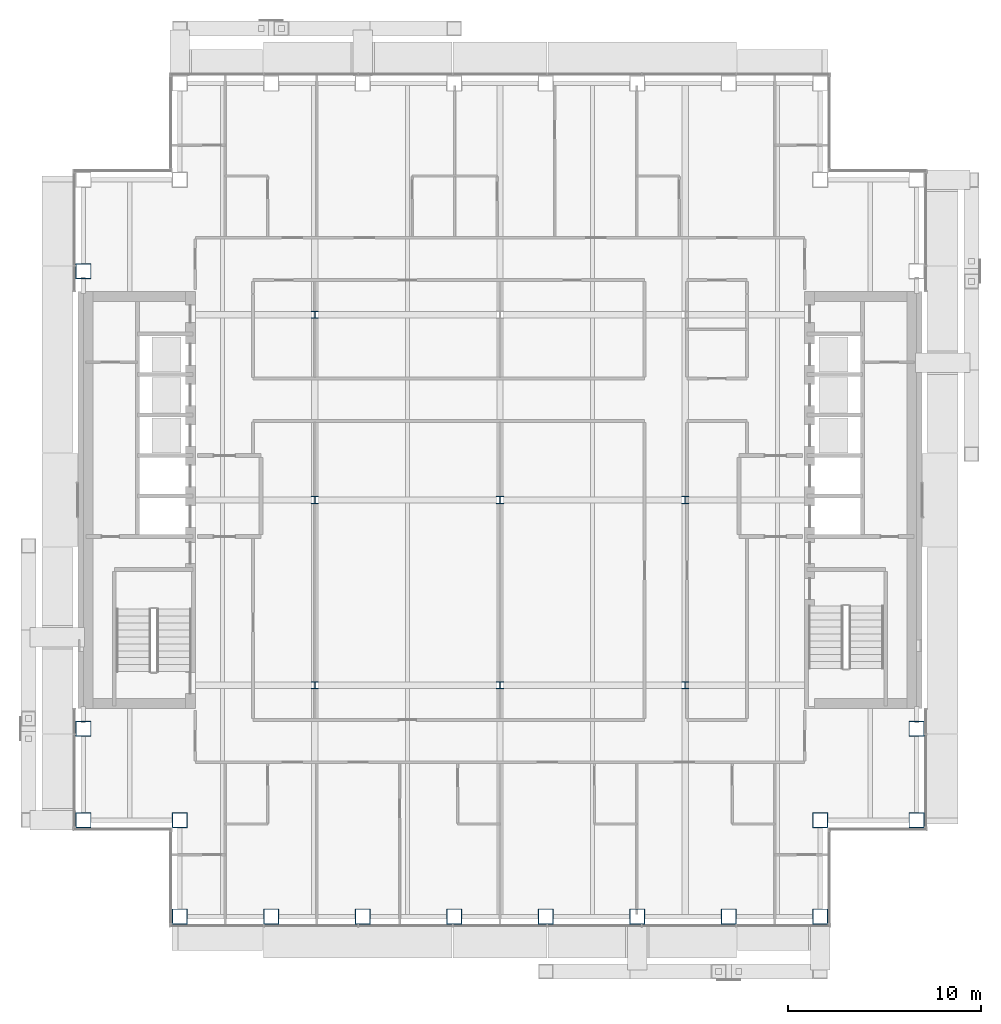
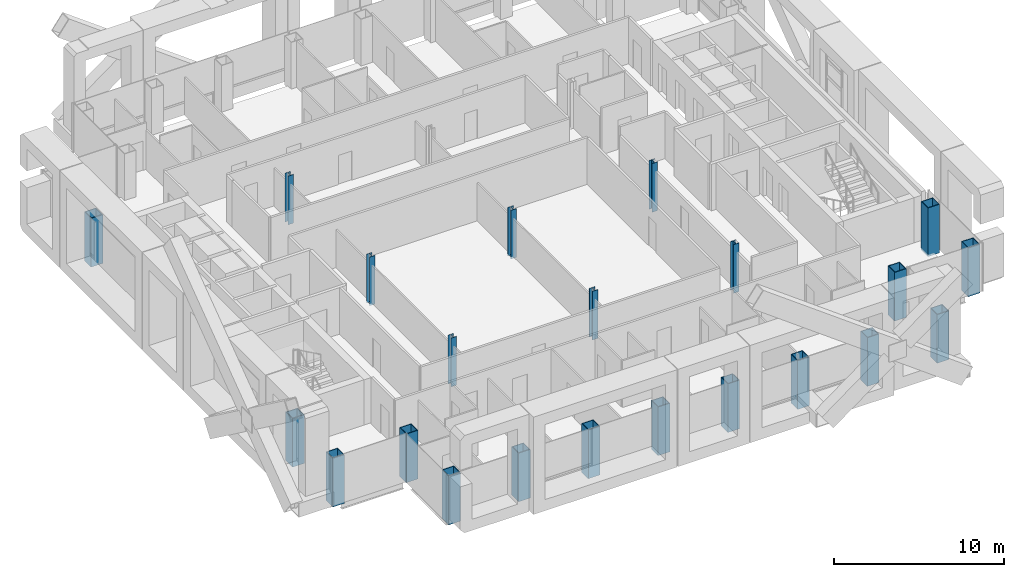
# One storey, part 1 of 22: 22 columns.
"""IFC4 building model written with IfcOpenShell, lengths in metres."""

from ifc_helpers import new_model, si_unit, direction, frame, origin, origin_2d, place, context, subcontext, project, spatial, hollow_rectangle, i_section, extrude, material, material_profile, profile_set, type_object, element, save


model = new_model("IFC4")

# Units and contexts
model_context = context("Model", 3, precision=1e-05, world=origin(), true_north=direction((0.0, 1.0)))
body_context = subcontext(model_context, "Body", "Model", "MODEL_VIEW")
ifc_project = project(units=[si_unit("LENGTHUNIT", "METRE"), si_unit("AREAUNIT", "SQUARE_METRE"), si_unit("VOLUMEUNIT", "CUBIC_METRE"), si_unit("PLANEANGLEUNIT", "RADIAN"), si_unit("MASSUNIT", "GRAM", prefix="KILO")], contexts=[model_context])

# Site, building, storey
site_placement = place(None, origin())
site = spatial("IfcSite", under=ifc_project, at=site_placement, CompositionType="ELEMENT")
building_placement = place(site_placement, origin())
building = spatial("IfcBuilding", under=site, at=building_placement, Name="Cobrizo Arcos Hotel Tower", CompositionType="ELEMENT")
storey_placement = place(building_placement, frame((0.0, 0.0, 176.0)))
storey = spatial("IfcBuildingStorey", under=building, at=storey_placement, Name="L45", CompositionType="ELEMENT", Elevation=176.0)

# Columns
ifc_material_1 = material(Name="Steel ASTM A572 Grade 50", Category="steel")
ifc_material_profile_1 = material_profile(ifc_material_1, hollow_rectangle(XDim=0.800048828125, YDim=0.800048828125, WallThickness=0.044921875, at=origin_2d()), Name="BOX 800X800X45")
ifc_profile_set_1 = profile_set([ifc_material_profile_1], Name="Steel ASTM A572 Grade 50")
column_type_1 = type_object("IfcColumnType", Name="BOX 800X800X45 column", PredefinedType="COLUMN", material=ifc_profile_set_1)
for number, where, z_axis, x_axis, name in (
    (1, (-16.60009765625, -21.60009765625, -0.14990234375), (0.0, 0.0, 1.0), (1.0, 0.0, 0.0), "Perimeter column C8, L45, no. 01"),
    (2, (-11.85693359375, -21.60009765625, -0.14990234375), (0.0, 0.0, 1.0), (1.0, 0.0, 0.0), "Perimeter column C8, L45, no. 03"),
    (3, (-7.114013671875, -21.60009765625, -0.14990234375), (0.0, 0.0, 1.0), (1.0, 0.0, 0.0), "Perimeter column C8, L45, no. 05"),
    (4, (-2.37109375, -21.60009765625, -0.14990234375), (0.0, 0.0, 1.0), (1.0, 0.0, 0.0), "Perimeter column C8, L45, no. 07"),
    (5, (2.37109375, -21.60009765625, -0.14990234375), (0.0, 0.0, 1.0), (1.0, 0.0, 0.0), "Perimeter column C8, L45, no. 09"),
    (6, (7.114013671875, -21.60009765625, -0.14990234375), (0.0, 0.0, 1.0), (1.0, 0.0, 0.0), "Perimeter column C8, L45, no. 11"),
    (7, (11.85693359375, -21.60009765625, -0.14990234375), (0.0, 0.0, 1.0), (1.0, 0.0, 0.0), "Perimeter column C8, L45, no. 13"),
    (8, (16.60009765625, -21.60009765625, -0.14990234375), (0.0, 0.0, 1.0), (1.0, 0.0, 0.0), "Perimeter column C8, L45, no. 15"),
    (9, (21.60009765625, -16.60009765625, -0.14990234375), (0.0, 0.0, 1.0), (1.0, 0.0, 0.0), "Perimeter column C8, L45, no. 16"),
    (10, (-21.60009765625, -16.60009765625, -0.14990234375), (0.0, 0.0, 1.0), (1.0, 0.0, 0.0), "Perimeter column C8, L45, no. 17"),
    (11, (21.60009765625, -11.85693359375, -0.14990234375), (0.0, 0.0, 1.0), (1.0, 0.0, 0.0), "Perimeter column C8, L45, no. 18"),
    (12, (-21.60009765625, -11.85693359375, -0.14990234375), (0.0, 0.0, 1.0), (1.0, 0.0, 0.0), "Perimeter column C8, L45, no. 19"),
    (13, (-21.60009765625, 11.85693359375, -0.14990234375), (0.0, 0.0, 1.0), (1.0, 0.0, 0.0), "Perimeter column C8, L45, no. 21"),
    (14, (-16.60009765625, -16.60009765625, -0.14990234375), (0.0, 0.0, 1.0), (1.0, 0.0, 0.0), "Perimeter column C8, L45, no. 24"),
    (15, (16.60009765625, -16.60009765625, -0.14990234375), (0.0, 0.0, 1.0), (1.0, 0.0, 0.0), "Perimeter column C8, L45, no. 26"),
):
    element("IfcColumn", number, at=place(storey_placement, frame(where, z_axis=z_axis, x_axis=x_axis)), inside=storey, type_object=column_type_1, Name=name, PredefinedType="COLUMN", context=body_context, shape_type="SweptSolid", body=[
        extrude(hollow_rectangle(XDim=0.800048828125, YDim=0.800048828125, WallThickness=0.044921875, at=origin_2d()), origin(), (0.0, 0.0, 1.0), 3.5),
    ])
ifc_material_2 = material(Name="Steel ASTM A992 Grade 50", Category="steel")
ifc_material_profile_2 = material_profile(ifc_material_2, i_section(OverallWidth=0.373291015625, OverallDepth=0.373291015625, WebThickness=0.016357421875, FlangeThickness=0.026123046875, at=origin_2d()), Name="W14X132")
ifc_profile_set_2 = profile_set([ifc_material_profile_2], Name="Steel ASTM A992 Grade 50")
column_type_2 = type_object("IfcColumnType", Name="W14X132 interior column", PredefinedType="COLUMN", material=ifc_profile_set_2)
for number, where, z_axis, x_axis, name in (
    (16, (-9.60009765625, -9.60009765625, -0.14990234375), (0.0, 0.0, 1.0), (1.0, 0.0, 0.0), "Interior column C9, L45, no. 00"),
    (17, (-9.60009765625, 0.0, -0.14990234375), (0.0, 0.0, 1.0), (1.0, 0.0, 0.0), "Interior column C9, L45, no. 01"),
    (18, (-9.60009765625, 9.60009765625, -0.14990234375), (0.0, 0.0, 1.0), (1.0, 0.0, 0.0), "Interior column C9, L45, no. 02"),
    (19, (0.0, -9.60009765625, -0.14990234375), (0.0, 0.0, 1.0), (1.0, 0.0, 0.0), "Interior column C9, L45, no. 03"),
    (20, (0.0, 0.0, -0.14990234375), (0.0, 0.0, 1.0), (1.0, 0.0, 0.0), "Interior column C9, L45, no. 04"),
    (21, (9.60009765625, -9.60009765625, -0.14990234375), (0.0, 0.0, 1.0), (1.0, 0.0, 0.0), "Interior column C9, L45, no. 06"),
    (22, (9.60009765625, 0.0, -0.14990234375), (0.0, 0.0, 1.0), (1.0, 0.0, 0.0), "Interior column C9, L45, no. 07"),
):
    element("IfcColumn", number, at=place(storey_placement, frame(where, z_axis=z_axis, x_axis=x_axis)), inside=storey, type_object=column_type_2, Name=name, PredefinedType="COLUMN", context=body_context, shape_type="SweptSolid", body=[
        extrude(i_section(OverallWidth=0.373291015625, OverallDepth=0.373291015625, WebThickness=0.016357421875, FlangeThickness=0.026123046875, at=origin_2d()), origin(), (0.0, 0.0, 1.0), 3.5),
    ])

save(model, "model.ifc")
